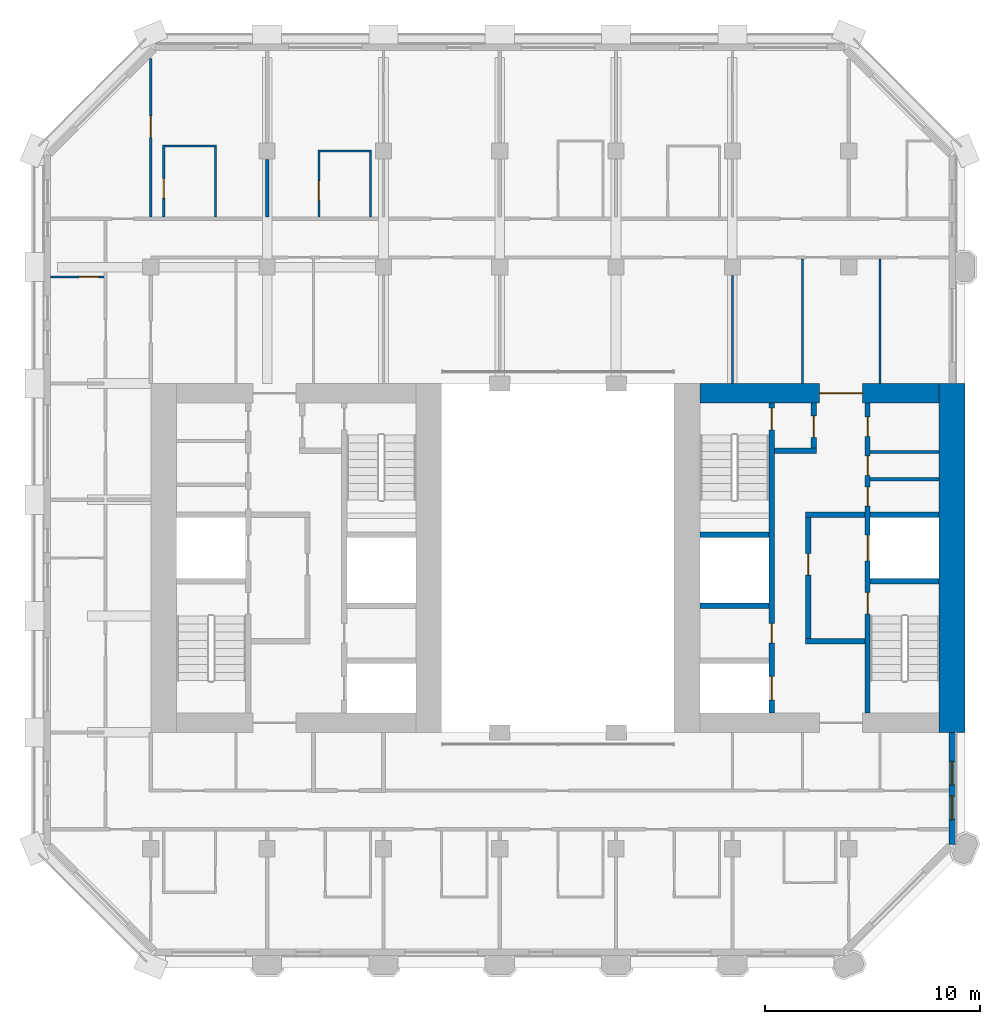
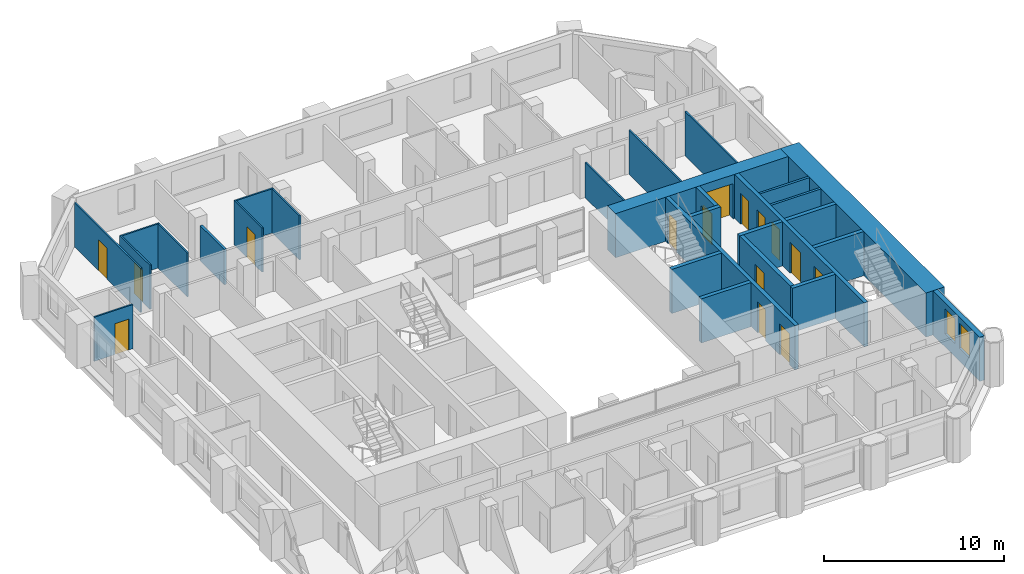
# One storey, part 9 of 14: 28 walls, 15 doors, 2 windows, 17 openings.
"""IFC4 building model written with IfcOpenShell, lengths in metres."""

from ifc_helpers import new_model, si_unit, direction, frame, frame_2d, origin, place, context, subcontext, project, spatial, rectangle, extrude, material, layer, layer_set, type_object, element, fill, save


model = new_model("IFC4")

# Units and contexts
model_context = context("Model", 3, precision=1e-05, world=origin(), true_north=direction((0.0, 1.0)))
body_context = subcontext(model_context, "Body", "Model", "MODEL_VIEW")
ifc_project = project(units=[si_unit("LENGTHUNIT", "METRE"), si_unit("AREAUNIT", "SQUARE_METRE"), si_unit("VOLUMEUNIT", "CUBIC_METRE"), si_unit("PLANEANGLEUNIT", "RADIAN"), si_unit("MASSUNIT", "GRAM", prefix="KILO")], contexts=[model_context])

# Site, building, storey
site_placement = place(None, origin())
site = spatial("IfcSite", under=ifc_project, at=site_placement, CompositionType="ELEMENT")
building_placement = place(site_placement, origin())
building = spatial("IfcBuilding", under=site, at=building_placement, Name="Tabaq Tower and Sports Hall", CompositionType="ELEMENT")
storey_placement = place(building_placement, frame((0.0, 0.0, 213.699951171875)))
storey = spatial("IfcBuildingStorey", under=building, at=storey_placement, Name="L53", CompositionType="ELEMENT", Elevation=213.699951171875)

# Walls
ifc_material_1 = material(Name="Blockwork", Category="masonry")
ifc_layer_1 = layer(ifc_material_1, 0.14990234375)
ifc_layer_set_1 = layer_set([ifc_layer_1], Name="Core room partition 150 Blockwork")
wall_type_1 = type_object("IfcWallType", Name="Core room partition 150 Blockwork", PredefinedType="PARTITIONING", material=ifc_layer_set_1)
for number, where, z_axis, x_axis, name in (
    (1, (38.800048828125, 27.947998046875, 0.0), (0.0, 0.0, 1.0), (1.0, 0.0, 0.0), "Core room partition E L53"),
    (2, (38.800048828125, 29.217041015625, 0.0), (0.0, 0.0, 1.0), (1.0, 0.0, 0.0), "Core room partition E L53"),
):
    element("IfcWall", number, at=place(storey_placement, frame(where, z_axis=z_axis, x_axis=x_axis)), inside=storey, type_object=wall_type_1, Name=name, PredefinedType="PARTITIONING", context=body_context, shape_type="SweptSolid", body=[
        extrude(rectangle(XDim=3.199951171875, YDim=0.14990234375, at=frame_2d((1.60009765625, 0.0))), origin(), (0.0, 0.0, 1.0), 3.0),
    ])
ifc_material_2 = material(Name="Concrete C50/60", Category="concrete")
ifc_layer_2 = layer(ifc_material_2, 1.199951171875)
ifc_layer_set_2 = layer_set([ifc_layer_2], Name="Core wall 1200 Concrete C50/60")
wall_type_2 = type_object("IfcWallType", Name="Core wall 1200 Concrete C50/60", PredefinedType="SOLIDWALL", material=ifc_layer_set_2)
wall_1_placement = place(storey_placement, frame((42.60009765625, 32.39990234375, 0.0), z_axis=(0.0, 0.0, 1.0), x_axis=(0.0, -1.0, 0.0)))
element("IfcWall", 3, at=wall_1_placement, inside=storey, type_object=wall_type_2, Name="Core wall E L53", PredefinedType="SOLIDWALL", context=body_context, shape_type="SweptSolid", body=[
    extrude(rectangle(XDim=16.199951171875, YDim=1.199951171875, at=frame_2d((8.10009765625, 0.0))), origin(), (0.0, 0.0, 1.0), 3.0),
])

# Wall, opening, door
ifc_material_3 = material(Name="Concrete C50/60", Category="concrete")
ifc_layer_3 = layer(ifc_material_3, 0.89990234375)
ifc_layer_set_3 = layer_set([ifc_layer_3], Name="Core wall 900 Concrete C50/60")
wall_type_3 = type_object("IfcWallType", Name="Core wall 900 Concrete C50/60", PredefinedType="SOLIDWALL", material=ifc_layer_set_3)
wall_2_placement = place(storey_placement, frame((30.89990234375, 31.949951171875, 0.0), z_axis=(0.0, 0.0, 1.0), x_axis=(1.0, 0.0, 0.0)))
wall_2 = element("IfcWall", 4, at=wall_2_placement, inside=storey, type_object=wall_type_3, Name="Core wall E L53", PredefinedType="SOLIDWALL", context=body_context, shape_type="SweptSolid", body=[
    extrude(rectangle(XDim=11.10009765625, YDim=0.89990234375, at=frame_2d((5.550048828125, 0.0))), origin(), (0.0, 0.0, 1.0), 3.0),
])
opening_1_placement = place(wall_2_placement, frame((5.550048828125, 0.0, 0.0)))
opening_1 = element("IfcOpeningElement", 5, at=opening_1_placement, cuts=wall_2, Name="Opening PD-EL53-02", PredefinedType="OPENING", context=body_context, shape_type="SweptSolid", body=[
    extrude(rectangle(XDim=2.0, YDim=2.39990234375, at=frame_2d((1.0, 1.199951171875))), frame((0.0, 0.449951171875, 0.0), z_axis=(0.0, -1.0, 0.0), x_axis=(1.0, 0.0, 0.0)), (0.0, 0.0, 1.0), 0.89990234375),
])
ifc_material_4 = material(Name="Steel fire door", Category="steel")
door_type_1 = type_object("IfcDoorType", Name="Core entrance door 2000", OperationType="DOUBLE_DOOR_SINGLE_SWING", PredefinedType="DOOR", material=ifc_material_4)
door_1_placement = place(opening_1_placement, origin())
door_1 = element("IfcDoor", 6, at=door_1_placement, inside=storey, type_object=door_type_1, Name="Core entrance north E L53", OperationType="DOUBLE_DOOR_SINGLE_SWING", OverallHeight=2.39990234375, OverallWidth=2.0, PredefinedType="DOOR", context=body_context, shape_type="SweptSolid", body=[
    extrude(rectangle(XDim=2.0, YDim=2.39990234375, at=frame_2d((1.0, 1.199951171875))), frame((0.0, 0.02490234375, 0.0), z_axis=(0.0, -1.0, 0.0), x_axis=(1.0, 0.0, 0.0)), (0.0, 0.0, 1.0), 0.050048828125),
])
fill(opening_1, door_1)

ifc_material_5 = material(Name="Gypsum board on steel studs", Category="steel")
ifc_layer_4 = layer(ifc_material_5, 0.10009765625)
ifc_layer_set_4 = layer_set([ifc_layer_4], Name="Partition 100 Gypsum board")
wall_type_4 = type_object("IfcWallType", Name="Partition 100 Gypsum board", PredefinedType="PARTITIONING", material=ifc_layer_set_4)
wall_3_placement = place(storey_placement, frame((3.22509765625, 37.35009765625, 0.0), z_axis=(0.0, 0.0, 1.0), x_axis=(-1.0, 0.0, 0.0)))
wall_3 = element("IfcWall", 7, at=wall_3_placement, inside=storey, type_object=wall_type_4, Name="Partition wall L53", PredefinedType="PARTITIONING", context=body_context, shape_type="SweptSolid", body=[
    extrude(rectangle(XDim=2.47412109375, YDim=0.10009765625, at=frame_2d((1.237060546875, 0.0))), origin(), (0.0, 0.0, 1.0), 3.0),
])
opening_2_placement = place(wall_3_placement, frame((0.25, 0.0, 0.0)))
opening_2 = element("IfcOpeningElement", 8, at=opening_2_placement, cuts=wall_3, Name="Opening L53-001", PredefinedType="OPENING", context=body_context, shape_type="SweptSolid", body=[
    extrude(rectangle(XDim=0.89990234375, YDim=2.10009765625, at=frame_2d((0.449951171875, 1.050048828125))), frame((0.0, 0.050048828125, 0.0), z_axis=(0.0, -1.0, 0.0), x_axis=(1.0, 0.0, 0.0)), (0.0, 0.0, 1.0), 0.10009765625),
])
ifc_material_6 = material(Name="Timber leaf in steel frame", Category="steel")
door_type_2 = type_object("IfcDoorType", Name="Internal door 900 right hand", OperationType="SINGLE_SWING_RIGHT", PredefinedType="DOOR", material=ifc_material_6)
door_2_placement = place(opening_2_placement, origin())
door_2 = element("IfcDoor", 9, at=door_2_placement, inside=storey, type_object=door_type_2, Name="Internal door L53-001", OperationType="SINGLE_SWING_RIGHT", OverallHeight=2.10009765625, OverallWidth=0.89990234375, PredefinedType="DOOR", context=body_context, shape_type="SweptSolid", body=[
    extrude(rectangle(XDim=0.89990234375, YDim=2.10009765625, at=frame_2d((0.449951171875, 1.050048828125))), frame((0.0, 0.02490234375, 0.0), z_axis=(0.0, -1.0, 0.0), x_axis=(1.0, 0.0, 0.0)), (0.0, 0.0, 1.0), 0.050048828125),
])
fill(opening_2, door_2)

wall_4_placement = place(storey_placement, frame((13.199951171875, 40.125, 0.0), z_axis=(0.0, 0.0, 1.0), x_axis=(0.0, 1.0, 0.0)))
wall_4 = element("IfcWall", 10, at=wall_4_placement, inside=storey, type_object=wall_type_4, Name="Partition wall L53", PredefinedType="PARTITIONING", context=body_context, shape_type="SweptSolid", body=[
    extrude(rectangle(XDim=3.125, YDim=0.10009765625, at=frame_2d((1.5625, 0.0))), origin(), (0.0, 0.0, 1.0), 3.0),
])
opening_3_placement = place(wall_4_placement, frame((0.77490234375, 0.0, 0.0)))
opening_3 = element("IfcOpeningElement", 11, at=opening_3_placement, cuts=wall_4, Name="Opening L53-005", PredefinedType="OPENING", context=body_context, shape_type="SweptSolid", body=[
    extrude(rectangle(XDim=0.89990234375, YDim=2.10009765625, at=frame_2d((0.449951171875, 1.050048828125))), frame((0.0, 0.050048828125, 0.0), z_axis=(0.0, -1.0, 0.0), x_axis=(1.0, 0.0, 0.0)), (0.0, 0.0, 1.0), 0.10009765625),
])
ifc_material_7 = material(Name="Timber leaf in steel frame", Category="steel")
door_type_3 = type_object("IfcDoorType", Name="Internal door 900 left hand", OperationType="SINGLE_SWING_LEFT", PredefinedType="DOOR", material=ifc_material_7)
door_3_placement = place(opening_3_placement, origin())
door_3 = element("IfcDoor", 12, at=door_3_placement, inside=storey, type_object=door_type_3, Name="Internal door L53-005", OperationType="SINGLE_SWING_LEFT", OverallHeight=2.10009765625, OverallWidth=0.89990234375, PredefinedType="DOOR", context=body_context, shape_type="SweptSolid", body=[
    extrude(rectangle(XDim=0.89990234375, YDim=2.10009765625, at=frame_2d((0.449951171875, 1.050048828125))), frame((0.0, 0.02490234375, 0.0), z_axis=(0.0, -1.0, 0.0), x_axis=(1.0, 0.0, 0.0)), (0.0, 0.0, 1.0), 0.050048828125),
])
fill(opening_3, door_3)

# Walls
wall_5_placement = place(storey_placement, frame((13.25, 43.199951171875, 0.0), z_axis=(0.0, 0.0, 1.0), x_axis=(1.0, 0.0, 0.0)))
element("IfcWall", 13, at=wall_5_placement, inside=storey, type_object=wall_type_4, Name="Partition wall L53", PredefinedType="PARTITIONING", context=body_context, shape_type="SweptSolid", body=[
    extrude(rectangle(XDim=2.39990234375, YDim=0.10009765625, at=frame_2d((1.199951171875, 0.0))), origin(), (0.0, 0.0, 1.0), 3.0),
])
wall_6_placement = place(storey_placement, frame((15.60009765625, 43.14990234375, 0.0), z_axis=(0.0, 0.0, 1.0), x_axis=(0.0, -1.0, 0.0)))
element("IfcWall", 14, at=wall_6_placement, inside=storey, type_object=wall_type_4, Name="Partition wall L53", PredefinedType="PARTITIONING", context=body_context, shape_type="SweptSolid", body=[
    extrude(rectangle(XDim=3.02490234375, YDim=0.10009765625, at=frame_2d((1.512451171875, 0.0))), origin(), (0.0, 0.0, 1.0), 3.0),
])

# Wall, opening, door
wall_7_placement = place(storey_placement, frame((5.39990234375, 47.48779296875, 0.0), z_axis=(0.0, 0.0, 1.0), x_axis=(0.0, -1.0, 0.0)))
wall_7 = element("IfcWall", 15, at=wall_7_placement, inside=storey, type_object=wall_type_4, Name="Partition wall L53", PredefinedType="PARTITIONING", context=body_context, shape_type="SweptSolid", body=[
    extrude(rectangle(XDim=7.36279296875, YDim=0.10009765625, at=frame_2d((3.681396484375, 0.0))), origin(), (0.0, 0.0, 1.0), 3.0),
])
opening_4_placement = place(wall_7_placement, frame((2.662841796875, 0.0, 0.0)))
opening_4 = element("IfcOpeningElement", 16, at=opening_4_placement, cuts=wall_7, Name="Opening L53-034", PredefinedType="OPENING", context=body_context, shape_type="SweptSolid", body=[
    extrude(rectangle(XDim=1.0, YDim=2.10009765625, at=frame_2d((0.5, 1.050048828125))), frame((0.0, 0.050048828125, 0.0), z_axis=(0.0, -1.0, 0.0), x_axis=(1.0, 0.0, 0.0)), (0.0, 0.0, 1.0), 0.10009765625),
])
ifc_material_8 = material(Name="Timber leaf in steel frame", Category="steel")
door_type_4 = type_object("IfcDoorType", Name="Internal door 1000 right hand", OperationType="SINGLE_SWING_RIGHT", PredefinedType="DOOR", material=ifc_material_8)
door_4_placement = place(opening_4_placement, origin())
door_4 = element("IfcDoor", 17, at=door_4_placement, inside=storey, type_object=door_type_4, Name="Internal door L53-034", OperationType="SINGLE_SWING_RIGHT", OverallHeight=2.10009765625, OverallWidth=1.0, PredefinedType="DOOR", context=body_context, shape_type="SweptSolid", body=[
    extrude(rectangle(XDim=1.0, YDim=2.10009765625, at=frame_2d((0.5, 1.050048828125))), frame((0.0, 0.02490234375, 0.0), z_axis=(0.0, -1.0, 0.0), x_axis=(1.0, 0.0, 0.0)), (0.0, 0.0, 1.0), 0.050048828125),
])
fill(opening_4, door_4)

wall_8_placement = place(storey_placement, frame((6.0, 40.125, 0.0), z_axis=(0.0, 0.0, 1.0), x_axis=(0.0, 1.0, 0.0)))
wall_8 = element("IfcWall", 18, at=wall_8_placement, inside=storey, type_object=wall_type_4, Name="Partition wall L53", PredefinedType="PARTITIONING", context=body_context, shape_type="SweptSolid", body=[
    extrude(rectangle(XDim=3.35009765625, YDim=0.10009765625, at=frame_2d((1.675048828125, 0.0))), origin(), (0.0, 0.0, 1.0), 3.0),
])
opening_5_placement = place(wall_8_placement, frame((0.881103515625, 0.0, 0.0)))
opening_5 = element("IfcOpeningElement", 19, at=opening_5_placement, cuts=wall_8, Name="Opening L53-006", PredefinedType="OPENING", context=body_context, shape_type="SweptSolid", body=[
    extrude(rectangle(XDim=0.89990234375, YDim=2.10009765625, at=frame_2d((0.449951171875, 1.050048828125))), frame((0.0, 0.050048828125, 0.0), z_axis=(0.0, -1.0, 0.0), x_axis=(1.0, 0.0, 0.0)), (0.0, 0.0, 1.0), 0.10009765625),
])
door_5_placement = place(opening_5_placement, origin())
door_5 = element("IfcDoor", 20, at=door_5_placement, inside=storey, type_object=door_type_2, Name="Internal door L53-006", OperationType="SINGLE_SWING_RIGHT", OverallHeight=2.10009765625, OverallWidth=0.89990234375, PredefinedType="DOOR", context=body_context, shape_type="SweptSolid", body=[
    extrude(rectangle(XDim=0.89990234375, YDim=2.10009765625, at=frame_2d((0.449951171875, 1.050048828125))), frame((0.0, 0.02490234375, 0.0), z_axis=(0.0, -1.0, 0.0), x_axis=(1.0, 0.0, 0.0)), (0.0, 0.0, 1.0), 0.050048828125),
])
fill(opening_5, door_5)

# Walls
wall_9_placement = place(storey_placement, frame((6.050048828125, 43.425048828125, 0.0), z_axis=(0.0, 0.0, 1.0), x_axis=(1.0, 0.0, 0.0)))
element("IfcWall", 21, at=wall_9_placement, inside=storey, type_object=wall_type_4, Name="Partition wall L53", PredefinedType="PARTITIONING", context=body_context, shape_type="SweptSolid", body=[
    extrude(rectangle(XDim=2.39990234375, YDim=0.10009765625, at=frame_2d((1.199951171875, 0.0))), origin(), (0.0, 0.0, 1.0), 3.0),
])
wall_10_placement = place(storey_placement, frame((8.39990234375, 43.375, 0.0), z_axis=(0.0, 0.0, 1.0), x_axis=(0.0, -1.0, 0.0)))
element("IfcWall", 22, at=wall_10_placement, inside=storey, type_object=wall_type_4, Name="Partition wall L53", PredefinedType="PARTITIONING", context=body_context, shape_type="SweptSolid", body=[
    extrude(rectangle(XDim=3.25, YDim=0.10009765625, at=frame_2d((1.625, 0.0))), origin(), (0.0, 0.0, 1.0), 3.0),
])
wall_11_placement = place(storey_placement, frame((32.39990234375, 32.39990234375, 0.0), z_axis=(0.0, 0.0, 1.0), x_axis=(0.0, 1.0, 0.0)))
element("IfcWall", 23, at=wall_11_placement, inside=storey, type_object=wall_type_4, Name="Partition wall L53", PredefinedType="PARTITIONING", context=body_context, shape_type="SweptSolid", body=[
    extrude(rectangle(XDim=5.005126953125, YDim=0.10009765625, at=frame_2d((2.50244140625, 0.0))), origin(), (0.0, 0.0, 1.0), 2.400146484375),
])
for number, where, z_axis, x_axis, name in (
    (24, (39.25, 32.39990234375, 0.0), (0.0, 0.0, 1.0), (0.0, 1.0, 0.0), "Partition wall L53"),
    (25, (35.64990234375, 38.175048828125, 0.0), (0.0, 0.0, 1.0), (0.0, -1.0, 0.0), "Partition wall L53"),
):
    element("IfcWall", number, at=place(storey_placement, frame(where, z_axis=z_axis, x_axis=x_axis)), inside=storey, type_object=wall_type_4, Name=name, PredefinedType="PARTITIONING", context=body_context, shape_type="SweptSolid", body=[
        extrude(rectangle(XDim=5.775146484375, YDim=0.10009765625, at=frame_2d((2.8876953125, 0.0))), origin(), (0.0, 0.0, 1.0), 3.0),
    ])
ifc_material_9 = material(Name="Blockwork", Category="masonry")
ifc_layer_5 = layer(ifc_material_9, 0.14990234375)
ifc_layer_set_5 = layer_set([ifc_layer_5], Name="Separating wall 150 Blockwork")
wall_type_5 = type_object("IfcWallType", Name="Separating wall 150 Blockwork", PredefinedType="PARTITIONING", material=ifc_layer_set_5)
wall_12_placement = place(storey_placement, frame((10.800048828125, 42.804931640625, 0.0), z_axis=(0.0, 0.0, 1.0), x_axis=(0.0, -1.0, 0.0)))
element("IfcWall", 26, at=wall_12_placement, inside=storey, type_object=wall_type_5, Name="Separating wall L53", PredefinedType="PARTITIONING", context=body_context, shape_type="SweptSolid", body=[
    extrude(rectangle(XDim=2.679931640625, YDim=0.14990234375, at=frame_2d((1.33984375, 0.0))), origin(), (0.0, 0.0, 1.0), 2.400146484375),
])

# Wall, openings, doors
ifc_material_10 = material(Name="Concrete C40/50", Category="concrete")
ifc_layer_6 = layer(ifc_material_10, 0.25)
ifc_layer_set_6 = layer_set([ifc_layer_6], Name="Shaft and stair wall 250 Concrete C40/50")
wall_type_6 = type_object("IfcWallType", Name="Shaft and stair wall 250 Concrete C40/50", PredefinedType="SOLIDWALL", material=ifc_layer_set_6)
wall_13_placement = place(storey_placement, frame((38.675048828125, 17.10009765625, 0.0), z_axis=(0.0, 0.0, 1.0), x_axis=(0.0, 1.0, 0.0)))
wall_13 = element("IfcWall", 27, at=wall_13_placement, inside=storey, type_object=wall_type_6, Name="Shaft wall E L53", PredefinedType="SOLIDWALL", context=body_context, shape_type="SweptSolid", body=[
    extrude(rectangle(XDim=14.39990234375, YDim=0.25, at=frame_2d((7.199951171875, 0.0))), origin(), (0.0, 0.0, 1.0), 3.0),
])
opening_6_placement = place(wall_13_placement, frame((4.60009765625, 0.0, 0.0)))
opening_6 = element("IfcOpeningElement", 28, at=opening_6_placement, cuts=wall_13, Name="Opening SD-EL53-03", PredefinedType="OPENING", context=body_context, shape_type="SweptSolid", body=[
    extrude(rectangle(XDim=1.0, YDim=2.10009765625, at=frame_2d((0.5, 1.050048828125))), frame((0.0, 0.125, 0.0), z_axis=(0.0, -1.0, 0.0), x_axis=(1.0, 0.0, 0.0)), (0.0, 0.0, 1.0), 0.25),
])
opening_7_placement = place(wall_13_placement, frame((7.0625, 0.0, 0.0)))
opening_7 = element("IfcOpeningElement", 29, at=opening_7_placement, cuts=wall_13, Name="Opening LD-FF2-L53", PredefinedType="OPENING", context=body_context, shape_type="SweptSolid", body=[
    extrude(rectangle(XDim=1.199951171875, YDim=2.10009765625, at=frame_2d((0.60009765625, 1.050048828125))), frame((0.0, 0.125, 0.0), z_axis=(0.0, -1.0, 0.0), x_axis=(1.0, 0.0, 0.0)), (0.0, 0.0, 1.0), 0.25),
])
opening_8_placement = place(wall_13_placement, frame((9.59912109375, 0.0, 0.0)))
opening_8 = element("IfcOpeningElement", 30, at=opening_8_placement, cuts=wall_13, Name="Opening RD-EL53-09", PredefinedType="OPENING", context=body_context, shape_type="SweptSolid", body=[
    extrude(rectangle(XDim=0.89990234375, YDim=2.10009765625, at=frame_2d((0.449951171875, 1.050048828125))), frame((0.0, 0.125, 0.0), z_axis=(0.0, -1.0, 0.0), x_axis=(1.0, 0.0, 0.0)), (0.0, 0.0, 1.0), 0.25),
])
opening_9_placement = place(wall_13_placement, frame((11.032470703125, 0.0, 0.0)))
opening_9 = element("IfcOpeningElement", 31, at=opening_9_placement, cuts=wall_13, Name="Opening RD-EL53-10", PredefinedType="OPENING", context=body_context, shape_type="SweptSolid", body=[
    extrude(rectangle(XDim=0.89990234375, YDim=2.10009765625, at=frame_2d((0.449951171875, 1.050048828125))), frame((0.0, 0.125, 0.0), z_axis=(0.0, -1.0, 0.0), x_axis=(1.0, 0.0, 0.0)), (0.0, 0.0, 1.0), 0.25),
])
opening_10_placement = place(wall_13_placement, frame((12.845947265625, 0.0, 0.0)))
opening_10 = element("IfcOpeningElement", 32, at=opening_10_placement, cuts=wall_13, Name="Opening RD-EL53-11", PredefinedType="OPENING", context=body_context, shape_type="SweptSolid", body=[
    extrude(rectangle(XDim=0.89990234375, YDim=2.10009765625, at=frame_2d((0.449951171875, 1.050048828125))), frame((0.0, 0.125, 0.0), z_axis=(0.0, -1.0, 0.0), x_axis=(1.0, 0.0, 0.0)), (0.0, 0.0, 1.0), 0.25),
])
ifc_material_11 = material(Name="Steel fire door", Category="steel")
door_type_5 = type_object("IfcDoorType", Name="Core room door 900", OperationType="SINGLE_SWING_LEFT", PredefinedType="DOOR", material=ifc_material_11)
door_6_placement = place(opening_8_placement, origin())
door_6 = element("IfcDoor", 33, at=door_6_placement, inside=storey, type_object=door_type_5, Name="Door Accessible WC E L53", OperationType="SINGLE_SWING_LEFT", OverallHeight=2.10009765625, OverallWidth=0.89990234375, PredefinedType="DOOR", context=body_context, shape_type="SweptSolid", body=[
    extrude(rectangle(XDim=0.89990234375, YDim=2.10009765625, at=frame_2d((0.449951171875, 1.050048828125))), frame((0.0, 0.02490234375, 0.0), z_axis=(0.0, -1.0, 0.0), x_axis=(1.0, 0.0, 0.0)), (0.0, 0.0, 1.0), 0.050048828125),
])
fill(opening_8, door_6)
door_7_placement = place(opening_9_placement, origin())
door_7 = element("IfcDoor", 34, at=door_7_placement, inside=storey, type_object=door_type_5, Name="Door Electrical Riser Room E L53", OperationType="SINGLE_SWING_LEFT", OverallHeight=2.10009765625, OverallWidth=0.89990234375, PredefinedType="DOOR", context=body_context, shape_type="SweptSolid", body=[
    extrude(rectangle(XDim=0.89990234375, YDim=2.10009765625, at=frame_2d((0.449951171875, 1.050048828125))), frame((0.0, 0.02490234375, 0.0), z_axis=(0.0, -1.0, 0.0), x_axis=(1.0, 0.0, 0.0)), (0.0, 0.0, 1.0), 0.050048828125),
])
fill(opening_9, door_7)
door_8_placement = place(opening_10_placement, origin())
door_8 = element("IfcDoor", 35, at=door_8_placement, inside=storey, type_object=door_type_5, Name="Door Unisex WC E L53", OperationType="SINGLE_SWING_LEFT", OverallHeight=2.10009765625, OverallWidth=0.89990234375, PredefinedType="DOOR", context=body_context, shape_type="SweptSolid", body=[
    extrude(rectangle(XDim=0.89990234375, YDim=2.10009765625, at=frame_2d((0.449951171875, 1.050048828125))), frame((0.0, 0.02490234375, 0.0), z_axis=(0.0, -1.0, 0.0), x_axis=(1.0, 0.0, 0.0)), (0.0, 0.0, 1.0), 0.050048828125),
])
fill(opening_10, door_8)
ifc_material_12 = material(Name="Stainless steel", Category="steel")
door_type_6 = type_object("IfcDoorType", Name="Lift landing door 1200", OperationType="DOUBLE_DOOR_SLIDING", PredefinedType="DOOR", material=ifc_material_12)
door_9_placement = place(opening_7_placement, origin())
door_9 = element("IfcDoor", 36, at=door_9_placement, inside=storey, type_object=door_type_6, Name="Lift landing door FF2 E L53", OperationType="DOUBLE_DOOR_SLIDING", OverallHeight=2.10009765625, OverallWidth=1.199951171875, PredefinedType="DOOR", context=body_context, shape_type="SweptSolid", body=[
    extrude(rectangle(XDim=1.199951171875, YDim=2.10009765625, at=frame_2d((0.60009765625, 1.050048828125))), frame((0.0, 0.02490234375, 0.0), z_axis=(0.0, -1.0, 0.0), x_axis=(1.0, 0.0, 0.0)), (0.0, 0.0, 1.0), 0.050048828125),
])
fill(opening_7, door_9)
ifc_material_13 = material(Name="Steel fire door", Category="steel")
door_type_7 = type_object("IfcDoorType", Name="Stair door 1000", OperationType="SINGLE_SWING_LEFT", PredefinedType="DOOR", material=ifc_material_13)
door_10_placement = place(opening_6_placement, origin())
door_10 = element("IfcDoor", 37, at=door_10_placement, inside=storey, type_object=door_type_7, Name="Stair door ST3 E L53", OperationType="SINGLE_SWING_LEFT", OverallHeight=2.10009765625, OverallWidth=1.0, PredefinedType="DOOR", context=body_context, shape_type="SweptSolid", body=[
    extrude(rectangle(XDim=1.0, YDim=2.10009765625, at=frame_2d((0.5, 1.050048828125))), frame((0.0, 0.02490234375, 0.0), z_axis=(0.0, -1.0, 0.0), x_axis=(1.0, 0.0, 0.0)), (0.0, 0.0, 1.0), 0.050048828125),
])
fill(opening_6, door_10)

wall_14_placement = place(storey_placement, frame((34.22509765625, 17.10009765625, 0.0), z_axis=(0.0, 0.0, 1.0), x_axis=(0.0, 1.0, 0.0)))
wall_14 = element("IfcWall", 38, at=wall_14_placement, inside=storey, type_object=wall_type_6, Name="Shaft wall E L53", PredefinedType="SOLIDWALL", context=body_context, shape_type="SweptSolid", body=[
    extrude(rectangle(XDim=14.39990234375, YDim=0.25, at=frame_2d((7.199951171875, 0.0))), origin(), (0.0, 0.0, 1.0), 3.0),
])
opening_11_placement = place(wall_14_placement, frame((13.14990234375, 0.0, 0.0)))
opening_11 = element("IfcOpeningElement", 39, at=opening_11_placement, cuts=wall_14, Name="Opening SD-EL53-05", PredefinedType="OPENING", context=body_context, shape_type="SweptSolid", body=[
    extrude(rectangle(XDim=1.0, YDim=2.10009765625, at=frame_2d((0.5, 1.050048828125))), frame((0.0, 0.125, 0.0), z_axis=(0.0, -1.0, 0.0), x_axis=(1.0, 0.0, 0.0)), (0.0, 0.0, 1.0), 0.25),
])
opening_12_placement = place(wall_14_placement, frame((0.60009765625, 0.0, 0.0)))
opening_12 = element("IfcOpeningElement", 40, at=opening_12_placement, cuts=wall_14, Name="Opening LD-MR2-L53", PredefinedType="OPENING", context=body_context, shape_type="SweptSolid", body=[
    extrude(rectangle(XDim=1.10009765625, YDim=2.10009765625, at=frame_2d((0.550048828125, 1.050048828125))), frame((0.0, 0.125, 0.0), z_axis=(0.0, -1.0, 0.0), x_axis=(1.0, 0.0, 0.0)), (0.0, 0.0, 1.0), 0.25),
])
opening_13_placement = place(wall_14_placement, frame((3.25, 0.0, 0.0)))
opening_13 = element("IfcOpeningElement", 41, at=opening_13_placement, cuts=wall_14, Name="Opening RD-EL53-12", PredefinedType="OPENING", context=body_context, shape_type="SweptSolid", body=[
    extrude(rectangle(XDim=0.89990234375, YDim=2.10009765625, at=frame_2d((0.449951171875, 1.050048828125))), frame((0.0, 0.125, 0.0), z_axis=(0.0, -1.0, 0.0), x_axis=(1.0, 0.0, 0.0)), (0.0, 0.0, 1.0), 0.25),
])
door_11_placement = place(opening_13_placement, origin())
door_11 = element("IfcDoor", 42, at=door_11_placement, inside=storey, type_object=door_type_5, Name="Door Cleaner's Store E L53", OperationType="SINGLE_SWING_LEFT", OverallHeight=2.10009765625, OverallWidth=0.89990234375, PredefinedType="DOOR", context=body_context, shape_type="SweptSolid", body=[
    extrude(rectangle(XDim=0.89990234375, YDim=2.10009765625, at=frame_2d((0.449951171875, 1.050048828125))), frame((0.0, 0.02490234375, 0.0), z_axis=(0.0, -1.0, 0.0), x_axis=(1.0, 0.0, 0.0)), (0.0, 0.0, 1.0), 0.050048828125),
])
fill(opening_13, door_11)
ifc_material_14 = material(Name="Stainless steel", Category="steel")
door_type_8 = type_object("IfcDoorType", Name="Lift landing door 1100", OperationType="DOUBLE_DOOR_SLIDING", PredefinedType="DOOR", material=ifc_material_14)
door_12_placement = place(opening_12_placement, origin())
door_12 = element("IfcDoor", 43, at=door_12_placement, inside=storey, type_object=door_type_8, Name="Lift landing door MR2 E L53", OperationType="DOUBLE_DOOR_SLIDING", OverallHeight=2.10009765625, OverallWidth=1.10009765625, PredefinedType="DOOR", context=body_context, shape_type="SweptSolid", body=[
    extrude(rectangle(XDim=1.10009765625, YDim=2.10009765625, at=frame_2d((0.550048828125, 1.050048828125))), frame((0.0, 0.02490234375, 0.0), z_axis=(0.0, -1.0, 0.0), x_axis=(1.0, 0.0, 0.0)), (0.0, 0.0, 1.0), 0.050048828125),
])
fill(opening_12, door_12)
door_13_placement = place(opening_11_placement, origin())
door_13 = element("IfcDoor", 44, at=door_13_placement, inside=storey, type_object=door_type_7, Name="Stair door ST4 E L53", OperationType="SINGLE_SWING_LEFT", OverallHeight=2.10009765625, OverallWidth=1.0, PredefinedType="DOOR", context=body_context, shape_type="SweptSolid", body=[
    extrude(rectangle(XDim=1.0, YDim=2.10009765625, at=frame_2d((0.5, 1.050048828125))), frame((0.0, 0.02490234375, 0.0), z_axis=(0.0, -1.0, 0.0), x_axis=(1.0, 0.0, 0.0)), (0.0, 0.0, 1.0), 0.050048828125),
])
fill(opening_11, door_13)

# Walls
wall_15_placement = place(storey_placement, frame((38.800048828125, 23.22509765625, 0.0), z_axis=(0.0, 0.0, 1.0), x_axis=(1.0, 0.0, 0.0)))
element("IfcWall", 45, at=wall_15_placement, inside=storey, type_object=wall_type_6, Name="Stair enclosure wall E L53", PredefinedType="SOLIDWALL", context=body_context, shape_type="SweptSolid", body=[
    extrude(rectangle(XDim=3.199951171875, YDim=0.25, at=frame_2d((1.60009765625, 0.0))), origin(), (0.0, 0.0, 1.0), 3.0),
])
for number, where, z_axis, x_axis, name in (
    (46, (30.89990234375, 25.375, 0.0), (0.0, 0.0, 1.0), (1.0, 0.0, 0.0), "Stair enclosure wall E L53"),
    (47, (30.89990234375, 22.074951171875, 0.0), (0.0, 0.0, 1.0), (1.0, 0.0, 0.0), "Shaft wall E L53"),
):
    element("IfcWall", number, at=place(storey_placement, frame(where, z_axis=z_axis, x_axis=x_axis)), inside=storey, type_object=wall_type_6, Name=name, PredefinedType="SOLIDWALL", context=body_context, shape_type="SweptSolid", body=[
        extrude(rectangle(XDim=3.2001953125, YDim=0.25, at=frame_2d((1.60009765625, 0.0))), origin(), (0.0, 0.0, 1.0), 3.0),
    ])
wall_16_placement = place(storey_placement, frame((38.800048828125, 26.300048828125, 0.0), z_axis=(0.0, 0.0, 1.0), x_axis=(1.0, 0.0, 0.0)))
element("IfcWall", 48, at=wall_16_placement, inside=storey, type_object=wall_type_6, Name="Shaft wall E L53", PredefinedType="SOLIDWALL", context=body_context, shape_type="SweptSolid", body=[
    extrude(rectangle(XDim=3.199951171875, YDim=0.25, at=frame_2d((1.60009765625, 0.0))), origin(), (0.0, 0.0, 1.0), 3.0),
])
for number, where, z_axis, x_axis, name in (
    (49, (35.800048828125, 26.300048828125, 0.0), (0.0, 0.0, 1.0), (1.0, 0.0, 0.0), "Fire-fighting lobby wall E L53"),
    (50, (35.800048828125, 20.425048828125, 0.0), (0.0, 0.0, 1.0), (1.0, 0.0, 0.0), "Fire-fighting lobby wall E L53"),
):
    element("IfcWall", number, at=place(storey_placement, frame(where, z_axis=z_axis, x_axis=x_axis)), inside=storey, type_object=wall_type_6, Name=name, PredefinedType="SOLIDWALL", context=body_context, shape_type="SweptSolid", body=[
        extrude(rectangle(XDim=2.75, YDim=0.25, at=frame_2d((1.375, 0.0))), origin(), (0.0, 0.0, 1.0), 3.0),
    ])

# Wall, opening, door
wall_17_placement = place(storey_placement, frame((36.175048828125, 29.39990234375, 0.0), z_axis=(0.0, 0.0, 1.0), x_axis=(0.0, 1.0, 0.0)))
wall_17 = element("IfcWall", 51, at=wall_17_placement, inside=storey, type_object=wall_type_6, Name="Fire-fighting lobby wall E L53", PredefinedType="SOLIDWALL", context=body_context, shape_type="SweptSolid", body=[
    extrude(rectangle(XDim=2.10009765625, YDim=0.25, at=frame_2d((1.050048828125, 0.0))), origin(), (0.0, 0.0, 1.0), 3.0),
])
opening_14_placement = place(wall_17_placement, frame((0.5, 0.0, 0.0)))
opening_14 = element("IfcOpeningElement", 52, at=opening_14_placement, cuts=wall_17, Name="Opening FD-EL53-06", PredefinedType="OPENING", context=body_context, shape_type="SweptSolid", body=[
    extrude(rectangle(XDim=1.0, YDim=2.10009765625, at=frame_2d((0.5, 1.050048828125))), frame((0.0, 0.125, 0.0), z_axis=(0.0, -1.0, 0.0), x_axis=(1.0, 0.0, 0.0)), (0.0, 0.0, 1.0), 0.25),
])
ifc_material_15 = material(Name="Steel fire door", Category="steel")
door_type_9 = type_object("IfcDoorType", Name="Fire-fighting lobby door 1000", OperationType="SINGLE_SWING_LEFT", PredefinedType="DOOR", material=ifc_material_15)
door_14_placement = place(opening_14_placement, origin())
door_14 = element("IfcDoor", 53, at=door_14_placement, inside=storey, type_object=door_type_9, Name="Stair lobby door E L53", OperationType="SINGLE_SWING_LEFT", OverallHeight=2.10009765625, OverallWidth=1.0, PredefinedType="DOOR", context=body_context, shape_type="SweptSolid", body=[
    extrude(rectangle(XDim=1.0, YDim=2.10009765625, at=frame_2d((0.5, 1.050048828125))), frame((0.0, 0.02490234375, 0.0), z_axis=(0.0, -1.0, 0.0), x_axis=(1.0, 0.0, 0.0)), (0.0, 0.0, 1.0), 0.050048828125),
])
fill(opening_14, door_14)

# Wall
wall_18_placement = place(storey_placement, frame((34.35009765625, 29.27490234375, 0.0), z_axis=(0.0, 0.0, 1.0), x_axis=(1.0, 0.0, 0.0)))
element("IfcWall", 54, at=wall_18_placement, inside=storey, type_object=wall_type_6, Name="Fire-fighting lobby wall E L53", PredefinedType="SOLIDWALL", context=body_context, shape_type="SweptSolid", body=[
    extrude(rectangle(XDim=1.949951171875, YDim=0.25, at=frame_2d((0.97509765625, 0.0))), origin(), (0.0, 0.0, 1.0), 3.0),
])

# Wall, opening, door
wall_19_placement = place(storey_placement, frame((35.925048828125, 20.550048828125, 0.0), z_axis=(0.0, 0.0, 1.0), x_axis=(0.0, 1.0, 0.0)))
wall_19 = element("IfcWall", 55, at=wall_19_placement, inside=storey, type_object=wall_type_6, Name="Fire-fighting lobby wall E L53", PredefinedType="SOLIDWALL", context=body_context, shape_type="SweptSolid", body=[
    extrude(rectangle(XDim=5.625, YDim=0.25, at=frame_2d((2.8125, 0.0))), origin(), (0.0, 0.0, 1.0), 3.0),
])
opening_15_placement = place(wall_19_placement, frame((2.949951171875, 0.0, 0.0)))
opening_15 = element("IfcOpeningElement", 56, at=opening_15_placement, cuts=wall_19, Name="Opening FD-EL53-04", PredefinedType="OPENING", context=body_context, shape_type="SweptSolid", body=[
    extrude(rectangle(XDim=1.0, YDim=2.10009765625, at=frame_2d((0.5, 1.050048828125))), frame((0.0, 0.125, 0.0), z_axis=(0.0, -1.0, 0.0), x_axis=(1.0, 0.0, 0.0)), (0.0, 0.0, 1.0), 0.25),
])
door_15_placement = place(opening_15_placement, origin())
door_15 = element("IfcDoor", 57, at=door_15_placement, inside=storey, type_object=door_type_9, Name="Fire-fighting lobby door E L53", OperationType="SINGLE_SWING_LEFT", OverallHeight=2.10009765625, OverallWidth=1.0, PredefinedType="DOOR", context=body_context, shape_type="SweptSolid", body=[
    extrude(rectangle(XDim=1.0, YDim=2.10009765625, at=frame_2d((0.5, 1.050048828125))), frame((0.0, 0.02490234375, 0.0), z_axis=(0.0, -1.0, 0.0), x_axis=(1.0, 0.0, 0.0)), (0.0, 0.0, 1.0), 0.050048828125),
])
fill(opening_15, door_15)

# Wall, openings, windows
ifc_material_16 = material(Name="White precast concrete C60/75", Category="concrete")
ifc_layer_7 = layer(ifc_material_16, 0.300048828125)
ifc_layer_set_7 = layer_set([ifc_layer_7], Name="White precast concrete C60/75 external wall 300")
wall_type_7 = type_object("IfcWallType", Name="White precast concrete C60/75 external wall 300", PredefinedType="SOLIDWALL", material=ifc_layer_set_7)
wall_20_placement = place(storey_placement, frame((42.60009765625, 10.986328125, 0.0), z_axis=(0.0, 0.0, 1.0), x_axis=(0.0, 1.0, 0.0)))
wall_20 = element("IfcWall", 58, at=wall_20_placement, inside=storey, type_object=wall_type_7, Name="External Wall L53 E", PredefinedType="SOLIDWALL", context=body_context, shape_type="SweptSolid", body=[
    extrude(rectangle(XDim=5.213623046875, YDim=0.300048828125, at=frame_2d((2.60693359375, 0.0))), origin(), (0.0, 0.0, 1.0), 3.0),
])
opening_16_placement = place(wall_20_placement, frame((1.16357421875, 0.0, 0.89990234375)))
opening_16 = element("IfcOpeningElement", 59, at=opening_16_placement, cuts=wall_20, Name="Opening W1B", PredefinedType="OPENING", context=body_context, shape_type="SweptSolid", body=[
    extrude(rectangle(XDim=1.10009765625, YDim=1.699951171875, at=frame_2d((0.550048828125, 0.85009765625))), frame((0.0, 0.16015625, 0.0), z_axis=(0.0, -1.0, 0.0), x_axis=(1.0, 0.0, 0.0)), (0.0, 0.0, 1.0), 0.320068359375),
])
opening_17_placement = place(wall_20_placement, frame((2.763671875, 0.0, 0.89990234375)))
opening_17 = element("IfcOpeningElement", 60, at=opening_17_placement, cuts=wall_20, Name="Opening W1B", PredefinedType="OPENING", context=body_context, shape_type="SweptSolid", body=[
    extrude(rectangle(XDim=1.10009765625, YDim=1.699951171875, at=frame_2d((0.550048828125, 0.85009765625))), frame((0.0, 0.16015625, 0.0), z_axis=(0.0, -1.0, 0.0), x_axis=(1.0, 0.0, 0.0)), (0.0, 0.0, 1.0), 0.320068359375),
])
ifc_material_17 = material(Name="Aluminium framed clear glazing", Category="aluminium")
window_type = type_object("IfcWindowType", Name="Window W1B", PartitioningType="SINGLE_PANEL", PredefinedType="WINDOW", material=ifc_material_17)
window_1_placement = place(opening_16_placement, origin())
window_1 = element("IfcWindow", 61, at=window_1_placement, inside=storey, type_object=window_type, Name="Window W1B L53", OverallHeight=1.699951171875, OverallWidth=1.10009765625, PartitioningType="SINGLE_PANEL", PredefinedType="WINDOW", context=body_context, shape_type="SweptSolid", body=[
    extrude(rectangle(XDim=1.10009765625, YDim=1.699951171875, at=frame_2d((0.550048828125, 0.85009765625))), frame((0.0, 0.030029296875, 0.0), z_axis=(0.0, -1.0, 0.0), x_axis=(1.0, 0.0, 0.0)), (0.0, 0.0, 1.0), 0.06005859375),
])
fill(opening_16, window_1)
window_2_placement = place(opening_17_placement, origin())
window_2 = element("IfcWindow", 62, at=window_2_placement, inside=storey, type_object=window_type, Name="Window W1B L53", OverallHeight=1.699951171875, OverallWidth=1.10009765625, PartitioningType="SINGLE_PANEL", PredefinedType="WINDOW", context=body_context, shape_type="SweptSolid", body=[
    extrude(rectangle(XDim=1.10009765625, YDim=1.699951171875, at=frame_2d((0.550048828125, 0.85009765625))), frame((0.0, 0.030029296875, 0.0), z_axis=(0.0, -1.0, 0.0), x_axis=(1.0, 0.0, 0.0)), (0.0, 0.0, 1.0), 0.06005859375),
])
fill(opening_17, window_2)

save(model, "model.ifc")
